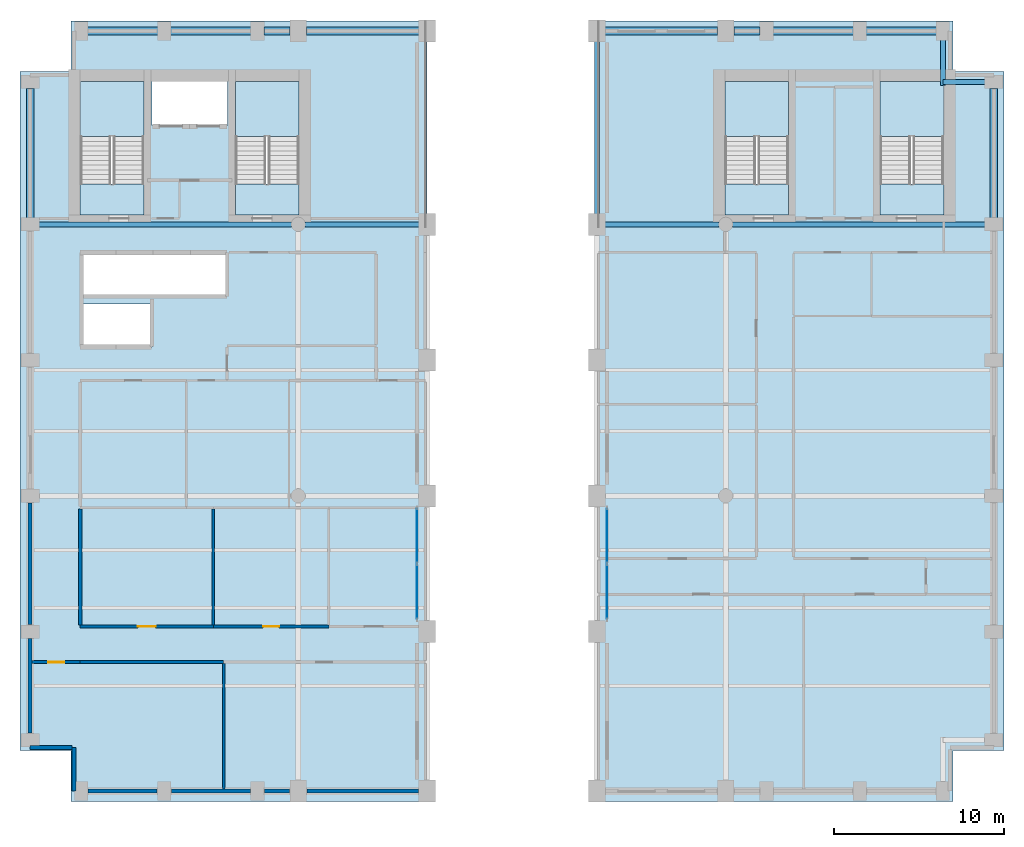
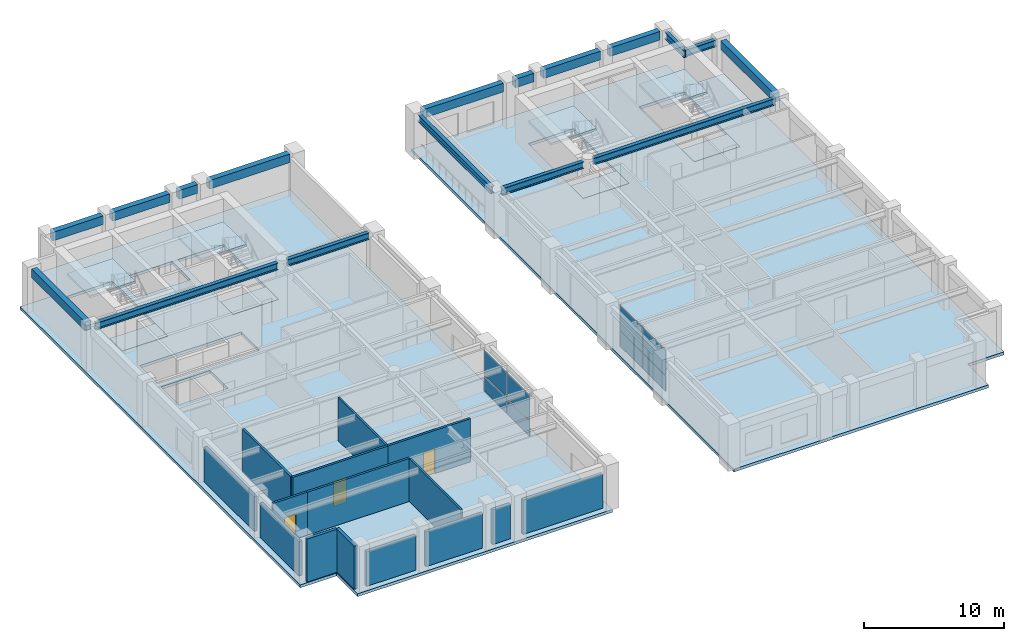
# One storey, part 4 of 10: 17 beams, 15 walls, 10 slabs, 8 plates, 3 doors, 3 openings, 6 elements without a shape of their own.
"""IFC4 building model written with IfcOpenShell, lengths in metres."""

from ifc_helpers import new_model, si_unit, direction, frame, frame_2d, origin, origin_2d, place, context, subcontext, project, spatial, polyline, rectangle, i_section, outline, extrude, material, layer, layer_set, material_profile, profile_set, type_object, element, fill, aggregate, save


model = new_model("IFC4")

# Units and contexts
model_context = context("Model", 3, precision=1e-05, world=origin(), true_north=direction((0.0, 1.0)))
body_context = subcontext(model_context, "Body", "Model", "MODEL_VIEW")
ifc_project = project(units=[si_unit("LENGTHUNIT", "METRE"), si_unit("AREAUNIT", "SQUARE_METRE"), si_unit("VOLUMEUNIT", "CUBIC_METRE"), si_unit("PLANEANGLEUNIT", "RADIAN"), si_unit("MASSUNIT", "GRAM", prefix="KILO")], contexts=[model_context])

# Site, building, storey
site_placement = place(None, origin())
site = spatial("IfcSite", under=ifc_project, at=site_placement, CompositionType="ELEMENT")
building_placement = place(site_placement, origin())
building = spatial("IfcBuilding", under=site, at=building_placement, Name="Sulina Concourse Tower", CompositionType="ELEMENT")
storey_placement = place(building_placement, frame((0.0, 0.0, 190.60009765625)))
storey = spatial("IfcBuildingStorey", under=building, at=storey_placement, Name="L46", CompositionType="ELEMENT", Elevation=190.60009765625)

# Beams
ifc_material_1 = material(Name="Steel S355", Category="steel")
ifc_material_profile_1 = material_profile(ifc_material_1, i_section(OverallWidth=0.300048828125, OverallDepth=0.60009765625, WebThickness=0.015380859375, FlangeThickness=0.030029296875, at=origin_2d()), Name="HE 600 B")
ifc_profile_set_1 = profile_set([ifc_material_profile_1], Name="Steel S355")
beam_type_1 = type_object("IfcBeamType", Name="Floor Primary Girder Zone 3 HE600B", PredefinedType="BEAM", material=ifc_profile_set_1)
beam_1_placement = place(storey_placement, frame((54.39990234375, 42.39990234375, 3.449951171875), z_axis=(1.0, 0.0, 0.0), x_axis=(0.0, 1.0, 0.0)))
element("IfcBeam", 1, at=beam_1_placement, inside=storey, type_object=beam_type_1, Name="TIE-NE-L46", PredefinedType="BEAM", context=body_context, shape_type="SweptSolid", body=[
    extrude(i_section(OverallWidth=0.300048828125, OverallDepth=0.60009765625, WebThickness=0.015380859375, FlangeThickness=0.030029296875, at=origin_2d()), origin(), (0.0, 0.0, 1.0), 2.6201171875),
])
beam_2_placement = place(storey_placement, frame((54.39990234375, 42.199951171875, 3.449951171875), z_axis=(0.0, 1.0, 0.0), x_axis=(-1.0, 0.0, 0.0)))
element("IfcBeam", 2, at=beam_2_placement, inside=storey, type_object=beam_type_1, Name="TIE-NEN-L46", PredefinedType="BEAM", context=body_context, shape_type="SweptSolid", body=[
    extrude(i_section(OverallWidth=0.300048828125, OverallDepth=0.60009765625, WebThickness=0.015380859375, FlangeThickness=0.030029296875, at=origin_2d()), origin(), (0.0, 0.0, 1.0), 2.820068359375),
])
beam_3_placement = place(storey_placement, frame((0.97998046875, 34.0, 3.449951171875), z_axis=(1.0, 0.0, 0.0), x_axis=(0.0, 1.0, 0.0)))
element("IfcBeam", 3, at=beam_3_placement, inside=storey, type_object=beam_type_1, Name="FG-EWN1-L46", PredefinedType="BEAM", context=body_context, shape_type="SweptSolid", body=[
    extrude(i_section(OverallWidth=0.300048828125, OverallDepth=0.60009765625, WebThickness=0.015380859375, FlangeThickness=0.030029296875, at=origin_2d()), origin(), (0.0, 0.0, 1.0), 15.01513671875),
])
for number, where, z_axis, x_axis, name in (
    (4, (16.804931640625, 34.0, 3.449951171875), (1.0, 0.0, 0.0), (0.0, 1.0, 0.0), "FG-EWN2-L46"),
    (5, (34.47998046875, 34.0, 3.449951171875), (1.0, 0.0, 0.0), (0.0, 1.0, 0.0), "FG-EWN4-L46"),
):
    element("IfcBeam", number, at=place(storey_placement, frame(where, z_axis=z_axis, x_axis=x_axis)), inside=storey, type_object=beam_type_1, Name=name, PredefinedType="BEAM", context=body_context, shape_type="SweptSolid", body=[
        extrude(i_section(OverallWidth=0.300048828125, OverallDepth=0.60009765625, WebThickness=0.015380859375, FlangeThickness=0.030029296875, at=origin_2d()), origin(), (0.0, 0.0, 1.0), 6.715087890625),
    ])
beam_4_placement = place(storey_placement, frame((42.0048828125, 34.0, 3.449951171875), z_axis=(1.0, 0.0, 0.0), x_axis=(0.0, 1.0, 0.0)))
element("IfcBeam", 6, at=beam_4_placement, inside=storey, type_object=beam_type_1, Name="FG-EWN5-L46", PredefinedType="BEAM", context=body_context, shape_type="SweptSolid", body=[
    extrude(i_section(OverallWidth=0.300048828125, OverallDepth=0.60009765625, WebThickness=0.015380859375, FlangeThickness=0.030029296875, at=origin_2d()), origin(), (0.0, 0.0, 1.0), 15.01513671875),
])
beam_5_placement = place(storey_placement, frame((34.0, 34.47998046875, 3.449951171875), z_axis=(0.0, 1.0, 0.0), x_axis=(-1.0, 0.0, 0.0)))
element("IfcBeam", 7, at=beam_5_placement, inside=storey, type_object=beam_type_1, Name="FG-NSC-34-L46", PredefinedType="BEAM", context=body_context, shape_type="SweptSolid", body=[
    extrude(i_section(OverallWidth=0.300048828125, OverallDepth=0.60009765625, WebThickness=0.015380859375, FlangeThickness=0.030029296875, at=origin_2d()), origin(), (0.0, 0.0, 1.0), 10.43994140625),
])
ifc_material_2 = material(Name="Precast concrete C50/60", Category="concrete")
ifc_material_profile_2 = material_profile(ifc_material_2, rectangle(XDim=0.449951171875, YDim=0.75, at=origin_2d()), Name="RC 450x750")
ifc_profile_set_2 = profile_set([ifc_material_profile_2], Name="Precast concrete C50/60")
beam_type_2 = type_object("IfcBeamType", Name="Upper Precast Spandrel Edge Beam 450x750", PredefinedType="BEAM", material=ifc_profile_set_2)
beam_6_placement = place(storey_placement, frame((3.97998046875, 45.39990234375, 3.375), z_axis=(1.0, 0.0, 0.0), x_axis=(0.0, 1.0, 0.0)))
element("IfcBeam", 8, at=beam_6_placement, inside=storey, type_object=beam_type_2, Name="SP-N1-L46", PredefinedType="BEAM", context=body_context, shape_type="SweptSolid", body=[
    extrude(rectangle(XDim=0.449951171875, YDim=0.75, at=origin_2d()), origin(), (0.0, 0.0, 1.0), 4.14013671875),
])
beam_7_placement = place(storey_placement, frame((8.8798828125, 45.39990234375, 3.375), z_axis=(1.0, 0.0, 0.0), x_axis=(0.0, 1.0, 0.0)))
element("IfcBeam", 9, at=beam_7_placement, inside=storey, type_object=beam_type_2, Name="SP-N2-L46", PredefinedType="BEAM", context=body_context, shape_type="SweptSolid", body=[
    extrude(rectangle(XDim=0.449951171875, YDim=0.75, at=origin_2d()), origin(), (0.0, 0.0, 1.0), 4.740234375),
])
beam_8_placement = place(storey_placement, frame((14.3798828125, 45.39990234375, 3.375), z_axis=(1.0, 0.0, 0.0), x_axis=(0.0, 1.0, 0.0)))
element("IfcBeam", 10, at=beam_8_placement, inside=storey, type_object=beam_type_2, Name="SP-N3-L46", PredefinedType="BEAM", context=body_context, shape_type="SweptSolid", body=[
    extrude(rectangle(XDim=0.449951171875, YDim=0.75, at=origin_2d()), origin(), (0.0, 0.0, 1.0), 1.5400390625),
])
for number, where, z_axis, x_axis, name in (
    (11, (16.8798828125, 45.39990234375, 3.375), (1.0, 0.0, 0.0), (0.0, 1.0, 0.0), "SP-N4-L46"),
    (12, (34.47998046875, 45.39990234375, 3.375), (1.0, 0.0, 0.0), (0.0, 1.0, 0.0), "SP-N6-L46"),
):
    element("IfcBeam", number, at=place(storey_placement, frame(where, z_axis=z_axis, x_axis=x_axis)), inside=storey, type_object=beam_type_2, Name=name, PredefinedType="BEAM", context=body_context, shape_type="SweptSolid", body=[
        extrude(rectangle(XDim=0.449951171875, YDim=0.75, at=origin_2d()), origin(), (0.0, 0.0, 1.0), 6.64013671875),
    ])
beam_9_placement = place(storey_placement, frame((42.080078125, 45.39990234375, 3.375), z_axis=(1.0, 0.0, 0.0), x_axis=(0.0, 1.0, 0.0)))
element("IfcBeam", 13, at=beam_9_placement, inside=storey, type_object=beam_type_2, Name="SP-N7-L46", PredefinedType="BEAM", context=body_context, shape_type="SweptSolid", body=[
    extrude(rectangle(XDim=0.449951171875, YDim=0.75, at=origin_2d()), origin(), (0.0, 0.0, 1.0), 1.5400390625),
])
beam_10_placement = place(storey_placement, frame((44.3798828125, 45.39990234375, 3.375), z_axis=(1.0, 0.0, 0.0), x_axis=(0.0, 1.0, 0.0)))
element("IfcBeam", 14, at=beam_10_placement, inside=storey, type_object=beam_type_2, Name="SP-N8-L46", PredefinedType="BEAM", context=body_context, shape_type="SweptSolid", body=[
    extrude(rectangle(XDim=0.449951171875, YDim=0.75, at=origin_2d()), origin(), (0.0, 0.0, 1.0), 4.740234375),
])
beam_11_placement = place(storey_placement, frame((49.8798828125, 45.39990234375, 3.375), z_axis=(1.0, 0.0, 0.0), x_axis=(0.0, 1.0, 0.0)))
element("IfcBeam", 15, at=beam_11_placement, inside=storey, type_object=beam_type_2, Name="SP-N9-L46", PredefinedType="BEAM", context=body_context, shape_type="SweptSolid", body=[
    extrude(rectangle(XDim=0.449951171875, YDim=0.75, at=origin_2d()), origin(), (0.0, 0.0, 1.0), 4.14013671875),
])
for number, where, z_axis, x_axis, name in (
    (16, (0.60009765625, 34.3798828125, 3.375), (0.0, 1.0, 0.0), (-1.0, 0.0, 0.0), "SP-W5-L46"),
    (17, (57.39990234375, 34.3798828125, 3.375), (0.0, 1.0, 0.0), (-1.0, 0.0, 0.0), "SP-E5-L46"),
):
    element("IfcBeam", number, at=place(storey_placement, frame(where, z_axis=z_axis, x_axis=x_axis)), inside=storey, type_object=beam_type_2, Name=name, PredefinedType="BEAM", context=body_context, shape_type="SweptSolid", body=[
        extrude(rectangle(XDim=0.449951171875, YDim=0.75, at=origin_2d()), origin(), (0.0, 0.0, 1.0), 7.64013671875),
    ])

# Slabs
ifc_material_3 = material(Name="Concrete C50/60", Category="concrete")
ifc_layer_1 = layer(ifc_material_3, 0.25)
ifc_layer_set_1 = layer_set([ifc_layer_1], Name="Concrete C50/60")
slab_type_1 = type_object("IfcSlabType", Name="High-Rise Composite Floor Slab 250mm", PredefinedType="FLOOR", material=ifc_layer_set_1)
slab_1_placement = place(storey_placement, frame((0.0, 0.0, -0.25)))
element("IfcSlab", 18, at=slab_1_placement, inside=storey, type_object=slab_type_1, Name="L46 structural floor slab-P1", PredefinedType="FLOOR", context=body_context, shape_type="SweptSolid", body=[
    extrude(outline(polyline([(3.0, 0.0), (24.0, 0.0), (24.0, 46.0), (3.0, 46.0), (3.0, 43.0), (0.0, 43.0), (0.0, 3.0), (3.0, 3.0), (3.0, 0.0)]), holes=[polyline([(7.31005859375, 34.550048828125), (7.31005859375, 42.429931640625), (3.550048828125, 42.429931640625), (3.550048828125, 34.550048828125), (7.31005859375, 34.550048828125)]), polyline([(16.449951171875, 34.550048828125), (16.449951171875, 42.429931640625), (12.68994140625, 42.429931640625), (12.68994140625, 34.550048828125), (16.449951171875, 34.550048828125)]), polyline([(7.780029296875, 39.830078125), (12.219970703125, 39.830078125), (12.219970703125, 42.449951171875), (7.780029296875, 42.449951171875), (7.780029296875, 39.830078125)]), polyline([(3.739990234375, 26.780029296875), (7.77001953125, 26.780029296875), (7.77001953125, 29.320068359375), (3.739990234375, 29.320068359375), (3.739990234375, 26.780029296875)]), polyline([(3.739990234375, 29.780029296875), (12.10009765625, 29.780029296875), (12.10009765625, 32.3701171875), (3.739990234375, 32.3701171875), (3.739990234375, 29.780029296875)])]), origin(), (0.0, 0.0, 1.0), 0.25),
])
slab_2_placement = place(storey_placement, frame((0.0, 0.0, -0.25)))
element("IfcSlab", 19, at=slab_2_placement, inside=storey, type_object=slab_type_1, Name="L46 structural floor slab-P2", PredefinedType="FLOOR", context=body_context, shape_type="SweptSolid", body=[
    extrude(outline(polyline([(34.0, 0.0), (55.0, 0.0), (55.0, 3.0), (58.0, 3.0), (58.0, 43.0), (55.0, 43.0), (55.0, 46.0), (34.0, 46.0), (34.0, 0.0)]), holes=[polyline([(45.31005859375, 34.550048828125), (45.31005859375, 42.429931640625), (41.550048828125, 42.429931640625), (41.550048828125, 34.550048828125), (45.31005859375, 34.550048828125)]), polyline([(54.449951171875, 34.550048828125), (54.449951171875, 42.429931640625), (50.68994140625, 42.429931640625), (50.68994140625, 34.550048828125), (54.449951171875, 34.550048828125)])]), origin(), (0.0, 0.0, 1.0), 0.25),
])
ifc_material_4 = material(Name="Concrete C50/60", Category="concrete")
ifc_layer_2 = layer(ifc_material_4, 0.199951171875)
ifc_layer_set_2 = layer_set([ifc_layer_2], Name="Concrete C50/60")
slab_type_2 = type_object("IfcSlabType", Name="Primary Core Stair Landing Slab 200mm", PredefinedType="LANDING", material=ifc_layer_set_2)
slab_3_placement = place(storey_placement, frame((0.0, 0.0, -0.2001953125)))
element("IfcSlab", 20, at=slab_3_placement, inside=storey, type_object=slab_type_2, Name="L46 ST-1 floor landing slab", PredefinedType="LANDING", context=body_context, shape_type="SweptSolid", body=[
    extrude(outline(polyline([(7.31005859375, 34.550048828125), (7.31005859375, 36.375), (3.550048828125, 36.375), (3.550048828125, 34.550048828125), (7.31005859375, 34.550048828125)])), origin(), (0.0, 0.0, 1.0), 0.2001953125),
])
slab_4_placement = place(storey_placement, frame((0.0, 0.0, -0.2001953125)))
element("IfcSlab", 21, at=slab_4_placement, inside=storey, type_object=slab_type_2, Name="L46 ST-2 floor landing slab", PredefinedType="LANDING", context=body_context, shape_type="SweptSolid", body=[
    extrude(outline(polyline([(16.449951171875, 34.550048828125), (16.449951171875, 36.375), (12.68994140625, 36.375), (12.68994140625, 34.550048828125), (16.449951171875, 34.550048828125)])), origin(), (0.0, 0.0, 1.0), 0.2001953125),
])
slab_5_placement = place(storey_placement, frame((0.0, 0.0, -0.2001953125)))
element("IfcSlab", 22, at=slab_5_placement, inside=storey, type_object=slab_type_2, Name="L46 ST-3 floor landing slab", PredefinedType="LANDING", context=body_context, shape_type="SweptSolid", body=[
    extrude(outline(polyline([(45.31005859375, 34.550048828125), (45.31005859375, 36.375), (41.550048828125, 36.375), (41.550048828125, 34.550048828125), (45.31005859375, 34.550048828125)])), origin(), (0.0, 0.0, 1.0), 0.2001953125),
])
slab_6_placement = place(storey_placement, frame((0.0, 0.0, -0.2001953125)))
element("IfcSlab", 23, at=slab_6_placement, inside=storey, type_object=slab_type_2, Name="L46 ST-4 floor landing slab", PredefinedType="LANDING", context=body_context, shape_type="SweptSolid", body=[
    extrude(outline(polyline([(54.449951171875, 34.550048828125), (54.449951171875, 36.375), (50.68994140625, 36.375), (50.68994140625, 34.550048828125), (54.449951171875, 34.550048828125)])), origin(), (0.0, 0.0, 1.0), 0.2001953125),
])

# Stair, slab
ifc_material_5 = material(Name="Concrete C50/60", Category="concrete")
stair_type_1 = type_object("IfcStairType", Name="Primary Core Dog-Leg Exit Stair 1800mm", PredefinedType="HALF_TURN_STAIR", material=ifc_material_5)
stair_1_placement = place(storey_placement, origin())
stair_1 = element("IfcStair", 24, at=stair_1_placement, inside=storey, type_object=stair_type_1, Name="L46 ST-1", PredefinedType="HALF_TURN_STAIR")
slab_7_placement = place(storey_placement, frame((0.0, 0.0, 1.7998046875)))
slab_7 = element("IfcSlab", 25, at=slab_7_placement, type_object=slab_type_2, Name="ST-1 landing 1", PredefinedType="LANDING", context=body_context, shape_type="SweptSolid", body=[
    extrude(outline(polyline([(7.304931640625, 39.175048828125), (7.304931640625, 42.425048828125), (3.554931640625, 42.425048828125), (3.554931640625, 39.175048828125), (7.304931640625, 39.175048828125)])), origin(), (0.0, 0.0, 1.0), 0.2001953125),
])
aggregate(stair_1, [slab_7])

stair_2_placement = place(storey_placement, origin())
stair_2 = element("IfcStair", 26, at=stair_2_placement, inside=storey, type_object=stair_type_1, Name="L46 ST-2", PredefinedType="HALF_TURN_STAIR")
slab_8_placement = place(storey_placement, frame((0.0, 0.0, 1.7998046875)))
slab_8 = element("IfcSlab", 27, at=slab_8_placement, type_object=slab_type_2, Name="ST-2 landing 1", PredefinedType="LANDING", context=body_context, shape_type="SweptSolid", body=[
    extrude(outline(polyline([(16.445068359375, 39.175048828125), (16.445068359375, 42.425048828125), (12.695068359375, 42.425048828125), (12.695068359375, 39.175048828125), (16.445068359375, 39.175048828125)])), origin(), (0.0, 0.0, 1.0), 0.2001953125),
])
aggregate(stair_2, [slab_8])

ifc_material_6 = material(Name="Concrete C50/60", Category="concrete")
stair_type_2 = type_object("IfcStairType", Name="Portal & Podium Core Exit Stair 1820mm", PredefinedType="HALF_TURN_STAIR", material=ifc_material_6)
stair_3_placement = place(storey_placement, origin())
stair_3 = element("IfcStair", 28, at=stair_3_placement, inside=storey, type_object=stair_type_2, Name="L46 ST-3", PredefinedType="HALF_TURN_STAIR")
slab_9_placement = place(storey_placement, frame((0.0, 0.0, 1.7998046875)))
slab_9 = element("IfcSlab", 29, at=slab_9_placement, type_object=slab_type_2, Name="ST-3 landing 1", PredefinedType="LANDING", context=body_context, shape_type="SweptSolid", body=[
    extrude(outline(polyline([(45.304931640625, 39.175048828125), (45.304931640625, 42.425048828125), (41.554931640625, 42.425048828125), (41.554931640625, 39.175048828125), (45.304931640625, 39.175048828125)])), origin(), (0.0, 0.0, 1.0), 0.2001953125),
])
aggregate(stair_3, [slab_9])

stair_4_placement = place(storey_placement, origin())
stair_4 = element("IfcStair", 30, at=stair_4_placement, inside=storey, type_object=stair_type_2, Name="L46 ST-4", PredefinedType="HALF_TURN_STAIR")
slab_10_placement = place(storey_placement, frame((0.0, 0.0, 1.7998046875)))
slab_10 = element("IfcSlab", 31, at=slab_10_placement, type_object=slab_type_2, Name="ST-4 landing 1", PredefinedType="LANDING", context=body_context, shape_type="SweptSolid", body=[
    extrude(outline(polyline([(54.445068359375, 39.175048828125), (54.445068359375, 42.425048828125), (50.695068359375, 42.425048828125), (50.695068359375, 39.175048828125), (54.445068359375, 39.175048828125)])), origin(), (0.0, 0.0, 1.0), 0.2001953125),
])
aggregate(stair_4, [slab_10])

# Curtain wall, plates
ifc_material_7 = material(Name="Aluminium 6063-T6", Category="aluminium")
ifc_layer_3 = layer(ifc_material_7, 0.25)
ifc_layer_set_3 = layer_set([ifc_layer_3], Name="Aluminium 6063-T6")
curtain_wall_type = type_object("IfcCurtainWallType", Name="Upper Wind-Portal Curtain Wall System", PredefinedType="NOTDEFINED", material=ifc_layer_set_3)
curtain_wall_1_placement = place(storey_placement, origin())
curtain_wall_1 = element("IfcCurtainWall", 32, at=curtain_wall_1_placement, inside=storey, type_object=curtain_wall_type, Name="L46 glazed curtain wall PW2", PredefinedType="NOTDEFINED")
ifc_material_8 = material(Name="High-wind laminated portal glazing", Category="glass")
ifc_layer_4 = layer(ifc_material_8, 0.0380859375)
ifc_layer_set_4 = layer_set([ifc_layer_4], Name="High-wind laminated portal glazing")
plate_type = type_object("IfcPlateType", Name="Upper Wind-Portal Curtain Wall System Glazed Panel 38mm", PredefinedType="CURTAIN_PANEL", material=ifc_layer_set_4)
plate_1_placement = place(storey_placement, frame((23.39990234375, 15.64501953125, 0.074951171875), z_axis=(0.0, 0.0, 1.0), x_axis=(0.0, -1.0, 0.0)))
plate_1 = element("IfcPlate", 33, at=plate_1_placement, type_object=plate_type, Name="CW-04 panel 1.1", PredefinedType="CURTAIN_PANEL", context=body_context, shape_type="SweptSolid", body=[
    extrude(rectangle(XDim=3.2099609375, YDim=0.0380859375, at=origin_2d()), origin(), (0.0, 0.0, 1.0), 1.3125),
])
plate_2_placement = place(storey_placement, frame((23.39990234375, 15.64501953125, 1.46240234375), z_axis=(0.0, 0.0, 1.0), x_axis=(0.0, -1.0, 0.0)))
plate_2 = element("IfcPlate", 34, at=plate_2_placement, type_object=plate_type, Name="CW-04 panel 1.2", PredefinedType="CURTAIN_PANEL", context=body_context, shape_type="SweptSolid", body=[
    extrude(rectangle(XDim=3.2099609375, YDim=0.0380859375, at=origin_2d()), origin(), (0.0, 0.0, 1.0), 2.21240234375),
])
plate_3_placement = place(storey_placement, frame((23.39990234375, 12.35498046875, 0.074951171875), z_axis=(0.0, 0.0, 1.0), x_axis=(0.0, -1.0, 0.0)))
plate_3 = element("IfcPlate", 35, at=plate_3_placement, type_object=plate_type, Name="CW-04 panel 2.1", PredefinedType="CURTAIN_PANEL", context=body_context, shape_type="SweptSolid", body=[
    extrude(rectangle(XDim=3.2099609375, YDim=0.0380859375, at=origin_2d()), origin(), (0.0, 0.0, 1.0), 1.3125),
])
plate_4_placement = place(storey_placement, frame((23.39990234375, 12.35498046875, 1.46240234375), z_axis=(0.0, 0.0, 1.0), x_axis=(0.0, -1.0, 0.0)))
plate_4 = element("IfcPlate", 36, at=plate_4_placement, type_object=plate_type, Name="CW-04 panel 2.2", PredefinedType="CURTAIN_PANEL", context=body_context, shape_type="SweptSolid", body=[
    extrude(rectangle(XDim=3.2099609375, YDim=0.0380859375, at=origin_2d()), origin(), (0.0, 0.0, 1.0), 2.21240234375),
])
aggregate(curtain_wall_1, [plate_1, plate_2, plate_3, plate_4])

curtain_wall_2_placement = place(storey_placement, origin())
curtain_wall_2 = element("IfcCurtainWall", 37, at=curtain_wall_2_placement, inside=storey, type_object=curtain_wall_type, Name="L46 glazed curtain wall PE2", PredefinedType="NOTDEFINED")
plate_5_placement = place(storey_placement, frame((34.60009765625, 12.35498046875, 0.074951171875), z_axis=(0.0, 0.0, 1.0), x_axis=(0.0, 1.0, 0.0)))
plate_5 = element("IfcPlate", 38, at=plate_5_placement, type_object=plate_type, Name="CW-04 panel 1.1", PredefinedType="CURTAIN_PANEL", context=body_context, shape_type="SweptSolid", body=[
    extrude(rectangle(XDim=3.2099609375, YDim=0.0380859375, at=origin_2d()), origin(), (0.0, 0.0, 1.0), 1.3125),
])
plate_6_placement = place(storey_placement, frame((34.60009765625, 12.35498046875, 1.46240234375), z_axis=(0.0, 0.0, 1.0), x_axis=(0.0, 1.0, 0.0)))
plate_6 = element("IfcPlate", 39, at=plate_6_placement, type_object=plate_type, Name="CW-04 panel 1.2", PredefinedType="CURTAIN_PANEL", context=body_context, shape_type="SweptSolid", body=[
    extrude(rectangle(XDim=3.2099609375, YDim=0.0380859375, at=origin_2d()), origin(), (0.0, 0.0, 1.0), 2.21240234375),
])
plate_7_placement = place(storey_placement, frame((34.60009765625, 15.64501953125, 0.074951171875), z_axis=(0.0, 0.0, 1.0), x_axis=(0.0, 1.0, 0.0)))
plate_7 = element("IfcPlate", 40, at=plate_7_placement, type_object=plate_type, Name="CW-04 panel 2.1", PredefinedType="CURTAIN_PANEL", context=body_context, shape_type="SweptSolid", body=[
    extrude(rectangle(XDim=3.2099609375, YDim=0.0380859375, at=origin_2d()), origin(), (0.0, 0.0, 1.0), 1.3125),
])
plate_8_placement = place(storey_placement, frame((34.60009765625, 15.64501953125, 1.46240234375), z_axis=(0.0, 0.0, 1.0), x_axis=(0.0, 1.0, 0.0)))
plate_8 = element("IfcPlate", 41, at=plate_8_placement, type_object=plate_type, Name="CW-04 panel 2.2", PredefinedType="CURTAIN_PANEL", context=body_context, shape_type="SweptSolid", body=[
    extrude(rectangle(XDim=3.2099609375, YDim=0.0380859375, at=origin_2d()), origin(), (0.0, 0.0, 1.0), 2.21240234375),
])
aggregate(curtain_wall_2, [plate_5, plate_6, plate_7, plate_8])

# Walls
ifc_material_9 = material(Name="Precast concrete C50/60", Category="concrete")
ifc_layer_5 = layer(ifc_material_9, 0.239990234375)
ifc_layer_set_5 = layer_set([ifc_layer_5], Name="Precast concrete C50/60")
wall_type_1 = type_object("IfcWallType", Name="Crown Precast Masonry-Frame Facade Wall 240mm", PredefinedType="SOLIDWALL", material=ifc_layer_set_5)
wall_1_placement = place(storey_placement, frame((8.080078125, 0.60009765625, 0.0), z_axis=(0.0, 0.0, 1.0), x_axis=(-1.0, 0.0, 0.0)))
element("IfcWall", 42, at=wall_1_placement, inside=storey, type_object=wall_type_1, Name="L46 exterior precast wall S1", PredefinedType="SOLIDWALL", context=body_context, shape_type="SweptSolid", body=[
    extrude(rectangle(XDim=4.06005859375, YDim=0.239990234375, at=frame_2d((2.030029296875, 0.0))), origin(), (0.0, 0.0, 1.0), 3.0),
])
wall_2_placement = place(storey_placement, frame((13.580078125, 0.60009765625, 0.0), z_axis=(0.0, 0.0, 1.0), x_axis=(-1.0, 0.0, 0.0)))
element("IfcWall", 43, at=wall_2_placement, inside=storey, type_object=wall_type_1, Name="L46 exterior precast wall S2", PredefinedType="SOLIDWALL", context=body_context, shape_type="SweptSolid", body=[
    extrude(rectangle(XDim=4.66015625, YDim=0.239990234375, at=frame_2d((2.330078125, 0.0))), origin(), (0.0, 0.0, 1.0), 3.0),
])
wall_3_placement = place(storey_placement, frame((15.8798828125, 0.60009765625, 0.0), z_axis=(0.0, 0.0, 1.0), x_axis=(-1.0, 0.0, 0.0)))
element("IfcWall", 44, at=wall_3_placement, inside=storey, type_object=wall_type_1, Name="L46 exterior precast wall S3", PredefinedType="SOLIDWALL", context=body_context, shape_type="SweptSolid", body=[
    extrude(rectangle(XDim=1.4599609375, YDim=0.239990234375, at=frame_2d((0.72998046875, 0.0))), origin(), (0.0, 0.0, 1.0), 3.0),
])
wall_4_placement = place(storey_placement, frame((23.47998046875, 0.60009765625, 0.0), z_axis=(0.0, 0.0, 1.0), x_axis=(-1.0, 0.0, 0.0)))
element("IfcWall", 45, at=wall_4_placement, inside=storey, type_object=wall_type_1, Name="L46 exterior precast wall S4", PredefinedType="SOLIDWALL", context=body_context, shape_type="SweptSolid", body=[
    extrude(rectangle(XDim=6.56005859375, YDim=0.239990234375, at=frame_2d((3.280029296875, 0.0))), origin(), (0.0, 0.0, 1.0), 3.0),
])
wall_5_placement = place(storey_placement, frame((0.60009765625, 4.02001953125, 0.0), z_axis=(0.0, 0.0, 1.0), x_axis=(0.0, 1.0, 0.0)))
element("IfcWall", 46, at=wall_5_placement, inside=storey, type_object=wall_type_1, Name="L46 exterior precast wall W1", PredefinedType="SOLIDWALL", context=body_context, shape_type="SweptSolid", body=[
    extrude(rectangle(XDim=5.56005859375, YDim=0.239990234375, at=frame_2d((2.780029296875, 0.0))), origin(), (0.0, 0.0, 1.0), 3.0),
])
wall_6_placement = place(storey_placement, frame((0.60009765625, 10.419921875, 0.0), z_axis=(0.0, 0.0, 1.0), x_axis=(0.0, 1.0, 0.0)))
element("IfcWall", 47, at=wall_6_placement, inside=storey, type_object=wall_type_1, Name="L46 exterior precast wall W2", PredefinedType="SOLIDWALL", context=body_context, shape_type="SweptSolid", body=[
    extrude(rectangle(XDim=7.16015625, YDim=0.239990234375, at=frame_2d((3.580078125, 0.0))), origin(), (0.0, 0.0, 1.0), 3.0),
])
wall_7_placement = place(storey_placement, frame((3.179931640625, 0.60009765625, 0.0), z_axis=(0.0, 0.0, 1.0), x_axis=(0.0, 1.0, 0.0)))
element("IfcWall", 48, at=wall_7_placement, inside=storey, type_object=wall_type_1, Name="L46 exterior precast wall CSW1", PredefinedType="SOLIDWALL", context=body_context, shape_type="SweptSolid", body=[
    extrude(rectangle(XDim=2.579833984375, YDim=0.239990234375, at=frame_2d((1.2900390625, 0.0))), origin(), (0.0, 0.0, 1.0), 3.75),
])
wall_8_placement = place(storey_placement, frame((3.054931640625, 3.179931640625, 0.0), z_axis=(0.0, 0.0, 1.0), x_axis=(-1.0, 0.0, 0.0)))
element("IfcWall", 49, at=wall_8_placement, inside=storey, type_object=wall_type_1, Name="L46 exterior precast wall CSW2", PredefinedType="SOLIDWALL", context=body_context, shape_type="SweptSolid", body=[
    extrude(rectangle(XDim=2.454833984375, YDim=0.239990234375, at=frame_2d((1.2275390625, 0.0))), origin(), (0.0, 0.0, 1.0), 3.75),
])
ifc_material_10 = material(Name="Gypsum board on steel stud", Category="steel")
ifc_layer_6 = layer(ifc_material_10, 0.14990234375)
ifc_layer_set_6 = layer_set([ifc_layer_6], Name="Gypsum board on steel stud")
wall_type_2 = type_object("IfcWallType", Name="Inter-Tenancy Acoustic Partition 150mm", PredefinedType="PARTITIONING", material=ifc_layer_set_6)
wall_9_placement = place(storey_placement, frame((11.39990234375, 10.389892578125, 0.0), z_axis=(0.0, 0.0, 1.0), x_axis=(0.0, 1.0, 0.0)))
element("IfcWall", 50, at=wall_9_placement, inside=storey, type_object=wall_type_2, Name="L46 interior partition 043", PredefinedType="PARTITIONING", context=body_context, shape_type="SweptSolid", body=[
    extrude(rectangle(XDim=6.84765625, YDim=0.14990234375, at=frame_2d((3.423828125, 0.0))), origin(), (0.0, 0.0, 1.0), 3.75),
])
wall_10_placement = place(storey_placement, frame((12.0, 0.719970703125, 0.0), z_axis=(0.0, 0.0, 1.0), x_axis=(0.0, 1.0, 0.0)))
element("IfcWall", 51, at=wall_10_placement, inside=storey, type_object=wall_type_2, Name="L46 interior partition 044", PredefinedType="PARTITIONING", context=body_context, shape_type="SweptSolid", body=[
    extrude(rectangle(XDim=7.39013671875, YDim=0.14990234375, at=frame_2d((3.695068359375, 0.0))), origin(), (0.0, 0.0, 1.0), 3.75),
])

# Wall, opening, door
ifc_material_11 = material(Name="Gypsum board on steel stud", Category="steel")
ifc_layer_7 = layer(ifc_material_11, 0.179931640625)
ifc_layer_set_7 = layer_set([ifc_layer_7], Name="Gypsum board on steel stud")
wall_type_3 = type_object("IfcWallType", Name="Protected Corridor & Riser Partition 180mm", PredefinedType="PARTITIONING", material=ifc_layer_set_7)
wall_11_placement = place(storey_placement, frame((0.719970703125, 8.199951171875, 0.0), z_axis=(0.0, 0.0, 1.0), x_axis=(1.0, 0.0, 0.0)))
wall_11 = element("IfcWall", 52, at=wall_11_placement, inside=storey, type_object=wall_type_3, Name="L46 interior partition 001", PredefinedType="PARTITIONING", context=body_context, shape_type="SweptSolid", body=[
    extrude(rectangle(XDim=2.830078125, YDim=0.179931640625, at=frame_2d((1.4150390625, 0.0))), origin(), (0.0, 0.0, 1.0), 3.75),
])
opening_1_placement = place(wall_11_placement, frame((0.93994140625, 0.0, 0.0)))
opening_1 = element("IfcOpeningElement", 53, at=opening_1_placement, cuts=wall_11, Name="Opening DR-19", PredefinedType="OPENING", context=body_context, shape_type="SweptSolid", body=[
    extrude(rectangle(XDim=0.949951171875, YDim=2.14990234375, at=frame_2d((0.47509765625, 1.074951171875))), frame((0.0, 0.099853515625, 0.0), z_axis=(0.0, -1.0, 0.0), x_axis=(1.0, 0.0, 0.0)), (0.0, 0.0, 1.0), 0.199951171875),
])
ifc_material_12 = material(Name="Oak-veneered acoustic timber leaf", Category="wood")
ifc_layer_8 = layer(ifc_material_12, 0.050048828125)
ifc_layer_set_8 = layer_set([ifc_layer_8], Name="Oak-veneered acoustic timber leaf")
door_type_1 = type_object("IfcDoorType", Name="Cellular Office & Meeting Door 950x2150", OperationType="NOTDEFINED", PredefinedType="DOOR", material=ifc_layer_set_8)
door_1_placement = place(opening_1_placement, origin())
door_1 = element("IfcDoor", 54, at=door_1_placement, inside=storey, type_object=door_type_1, Name="L46 interior door L46-SHW-WU1", OperationType="SINGLE_SWING_RIGHT", OverallHeight=2.14990234375, OverallWidth=0.949951171875, PredefinedType="DOOR", context=body_context, shape_type="SweptSolid", body=[
    extrude(rectangle(XDim=0.949951171875, YDim=2.14990234375, at=frame_2d((0.47509765625, 1.074951171875))), frame((0.0, 0.02490234375, 0.0), z_axis=(0.0, -1.0, 0.0), x_axis=(1.0, 0.0, 0.0)), (0.0, 0.0, 1.0), 0.050048828125),
])
fill(opening_1, door_1)

# Wall
wall_12_placement = place(storey_placement, frame((3.550048828125, 8.199951171875, 0.0), z_axis=(0.0, 0.0, 1.0), x_axis=(1.0, 0.0, 0.0)))
element("IfcWall", 55, at=wall_12_placement, inside=storey, type_object=wall_type_3, Name="L46 interior partition 002", PredefinedType="PARTITIONING", context=body_context, shape_type="SweptSolid", body=[
    extrude(rectangle(XDim=8.449951171875, YDim=0.179931640625, at=frame_2d((4.22509765625, 0.0))), origin(), (0.0, 0.0, 1.0), 3.75),
])

# Wall, opening, door
wall_13_placement = place(storey_placement, frame((3.550048828125, 10.300048828125, 0.0), z_axis=(0.0, 0.0, 1.0), x_axis=(1.0, 0.0, 0.0)))
wall_13 = element("IfcWall", 56, at=wall_13_placement, inside=storey, type_object=wall_type_3, Name="L46 interior partition 004", PredefinedType="PARTITIONING", context=body_context, shape_type="SweptSolid", body=[
    extrude(rectangle(XDim=7.849853515625, YDim=0.179931640625, at=frame_2d((3.9248046875, 0.0))), origin(), (0.0, 0.0, 1.0), 3.75),
])
opening_2_placement = place(wall_13_placement, frame((3.39990234375, 0.0, 0.0)))
opening_2 = element("IfcOpeningElement", 57, at=opening_2_placement, cuts=wall_13, Name="Opening DR-37", PredefinedType="OPENING", context=body_context, shape_type="SweptSolid", body=[
    extrude(rectangle(XDim=1.050048828125, YDim=2.14990234375, at=frame_2d((0.52490234375, 1.074951171875))), frame((0.0, 0.099853515625, 0.0), z_axis=(0.0, -1.0, 0.0), x_axis=(1.0, 0.0, 0.0)), (0.0, 0.0, 1.0), 0.199951171875),
])
ifc_material_13 = material(Name="Oak-veneered fire door leaf")
ifc_layer_9 = layer(ifc_material_13, 0.050048828125)
ifc_layer_set_9 = layer_set([ifc_layer_9], Name="Oak-veneered fire door leaf")
door_type_2 = type_object("IfcDoorType", Name="Tenant Suite Entrance Fire Door 1050x2150", OperationType="NOTDEFINED", PredefinedType="DOOR", material=ifc_layer_set_9)
door_2_placement = place(opening_2_placement, origin())
door_2 = element("IfcDoor", 58, at=door_2_placement, inside=storey, type_object=door_type_2, Name="L46 interior door L46-OFF-WU1", OperationType="SINGLE_SWING_RIGHT", OverallHeight=2.14990234375, OverallWidth=1.050048828125, PredefinedType="DOOR", context=body_context, shape_type="SweptSolid", body=[
    extrude(rectangle(XDim=1.050048828125, YDim=2.14990234375, at=frame_2d((0.52490234375, 1.074951171875))), frame((0.0, 0.02490234375, 0.0), z_axis=(0.0, -1.0, 0.0), x_axis=(1.0, 0.0, 0.0)), (0.0, 0.0, 1.0), 0.050048828125),
])
fill(opening_2, door_2)

wall_14_placement = place(storey_placement, frame((11.39990234375, 10.300048828125, 0.0), z_axis=(0.0, 0.0, 1.0), x_axis=(1.0, 0.0, 0.0)))
wall_14 = element("IfcWall", 59, at=wall_14_placement, inside=storey, type_object=wall_type_3, Name="L46 interior partition 005", PredefinedType="PARTITIONING", context=body_context, shape_type="SweptSolid", body=[
    extrude(rectangle(XDim=6.800048828125, YDim=0.179931640625, at=frame_2d((3.39990234375, 0.0))), origin(), (0.0, 0.0, 1.0), 3.75),
])
opening_3_placement = place(wall_14_placement, frame((2.925048828125, 0.0, 0.0)))
opening_3 = element("IfcOpeningElement", 60, at=opening_3_placement, cuts=wall_14, Name="Opening DR-19", PredefinedType="OPENING", context=body_context, shape_type="SweptSolid", body=[
    extrude(rectangle(XDim=0.949951171875, YDim=2.14990234375, at=frame_2d((0.47509765625, 1.074951171875))), frame((0.0, 0.099853515625, 0.0), z_axis=(0.0, -1.0, 0.0), x_axis=(1.0, 0.0, 0.0)), (0.0, 0.0, 1.0), 0.199951171875),
])
door_3_placement = place(opening_3_placement, origin())
door_3 = element("IfcDoor", 61, at=door_3_placement, inside=storey, type_object=door_type_1, Name="L46 interior door L46-MTG-WU1", OperationType="SINGLE_SWING_LEFT", OverallHeight=2.14990234375, OverallWidth=0.949951171875, PredefinedType="DOOR", context=body_context, shape_type="SweptSolid", body=[
    extrude(rectangle(XDim=0.949951171875, YDim=2.14990234375, at=frame_2d((0.47509765625, 1.074951171875))), frame((0.0, 0.02490234375, 0.0), z_axis=(0.0, -1.0, 0.0), x_axis=(1.0, 0.0, 0.0)), (0.0, 0.0, 1.0), 0.050048828125),
])
fill(opening_3, door_3)

# Wall
wall_15_placement = place(storey_placement, frame((3.550048828125, 10.389892578125, 0.0), z_axis=(0.0, 0.0, 1.0), x_axis=(0.0, 1.0, 0.0)))
element("IfcWall", 62, at=wall_15_placement, inside=storey, type_object=wall_type_3, Name="L46 interior partition 039", PredefinedType="PARTITIONING", context=body_context, shape_type="SweptSolid", body=[
    extrude(rectangle(XDim=6.835205078125, YDim=0.179931640625, at=frame_2d((3.41748046875, 0.0))), origin(), (0.0, 0.0, 1.0), 3.75),
])

save(model, "model.ifc")
